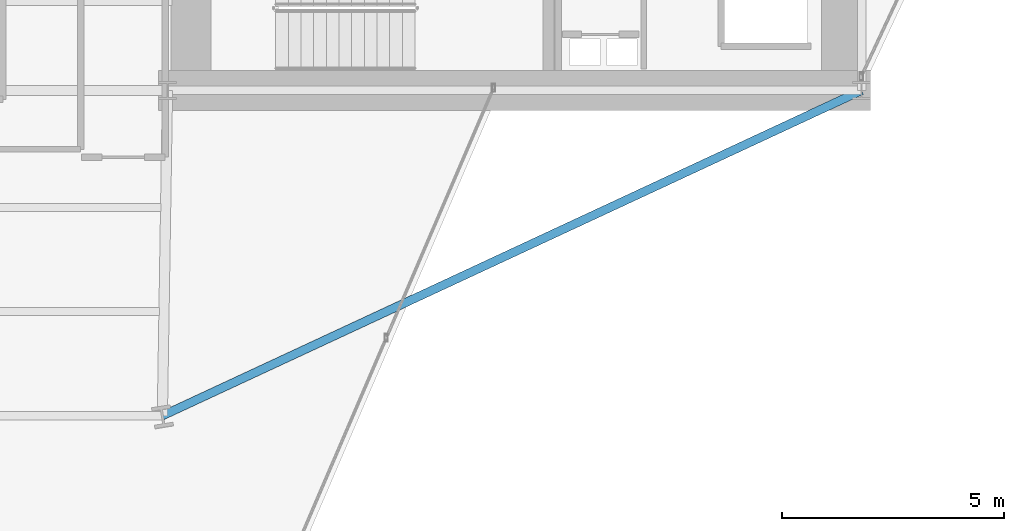
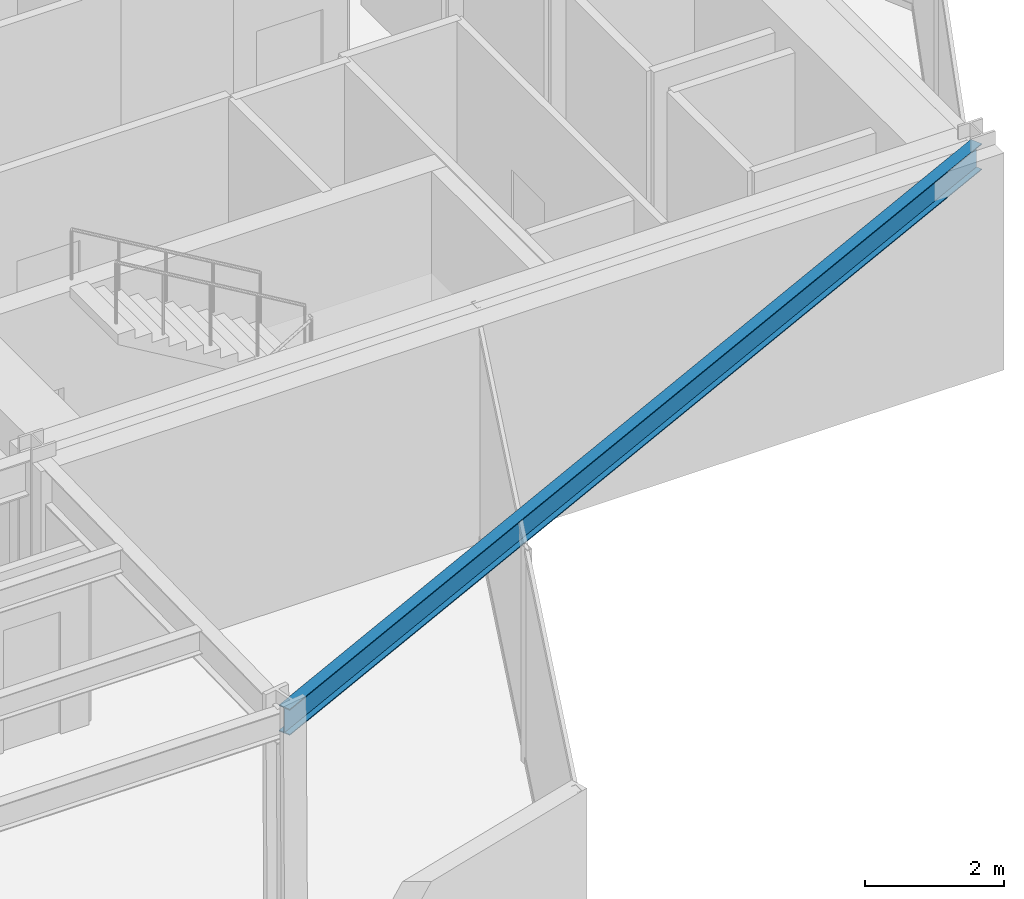
# One storey, part 12 of 27: 1 beam.
"""IFC4 building model written with IfcOpenShell, lengths in metres."""

from ifc_helpers import new_model, si_unit, direction, frame, origin, origin_2d, place, context, subcontext, project, spatial, i_section, extrude, material, material_profile, profile_set, type_object, element, save


model = new_model("IFC4")

# Units and contexts
model_context = context("Model", 3, precision=1e-05, world=origin(), true_north=direction((0.0, 1.0)))
body_context = subcontext(model_context, "Body", "Model", "MODEL_VIEW")
ifc_project = project(units=[si_unit("LENGTHUNIT", "METRE"), si_unit("AREAUNIT", "SQUARE_METRE"), si_unit("VOLUMEUNIT", "CUBIC_METRE"), si_unit("PLANEANGLEUNIT", "RADIAN"), si_unit("MASSUNIT", "GRAM", prefix="KILO")], contexts=[model_context])

# Site, building, storey
site_placement = place(None, origin())
site = spatial("IfcSite", under=ifc_project, at=site_placement, CompositionType="ELEMENT")
building_placement = place(site_placement, origin())
building = spatial("IfcBuilding", under=site, at=building_placement, Name="Veymaron Broadcast Tower", CompositionType="ELEMENT")
storey_placement = place(building_placement, frame((0.0, 0.0, 86.39990234375)))
storey = spatial("IfcBuildingStorey", under=building, at=storey_placement, Name="L19", CompositionType="ELEMENT", Elevation=86.39990234375)

# Beam
ifc_material = material(Name="Structural steel ASTM A992 Gr 50", Category="steel")
ifc_material_profile = material_profile(ifc_material, i_section(OverallWidth=0.19091796875, OverallDepth=0.4599609375, WebThickness=0.010009765625, FlangeThickness=0.01611328125, at=origin_2d()), Name="W460X82")
ifc_profile_set = profile_set([ifc_material_profile], Name="Structural steel ASTM A992 Gr 50")
beam_type = type_object("IfcBeamType", Name="BM-SP1", PredefinedType="SPANDREL", material=ifc_profile_set)
beam_placement = place(storey_placement, frame((54.60009765625, 16.0, 3.580078125), z_axis=(-0.906705327856, -0.421764683725, 0.0), x_axis=(0.421764683725, -0.906705327856, 0.0)))
element("IfcBeam", 1, at=beam_placement, inside=storey, type_object=beam_type, Name="L19 primary structural floor girder", PredefinedType="SPANDREL", context=body_context, shape_type="SweptSolid", body=[
    extrude(i_section(OverallWidth=0.19091796875, OverallDepth=0.4599609375, WebThickness=0.010009765625, FlangeThickness=0.01611328125, at=origin_2d()), origin(), (0.0, 0.0, 1.0), 17.33203125),
])

save(model, "model.ifc")
